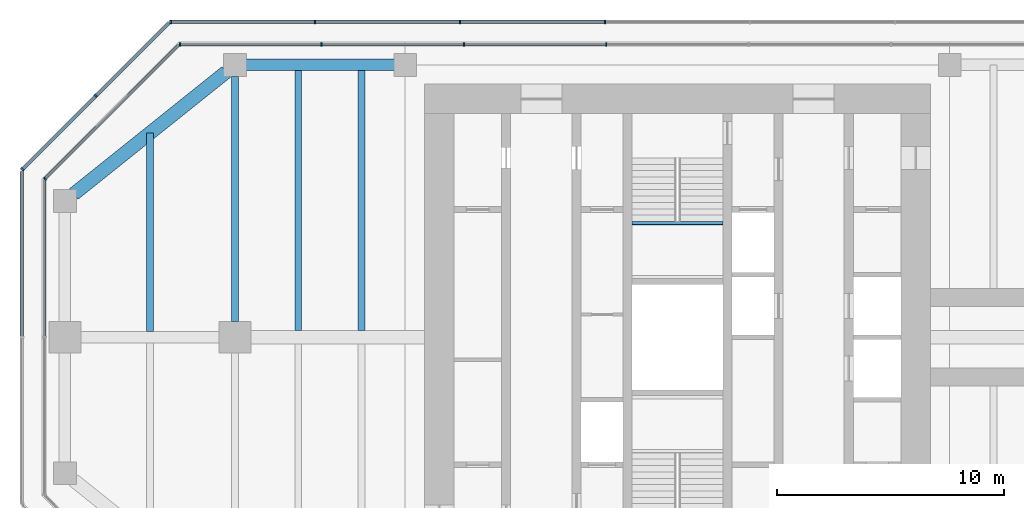
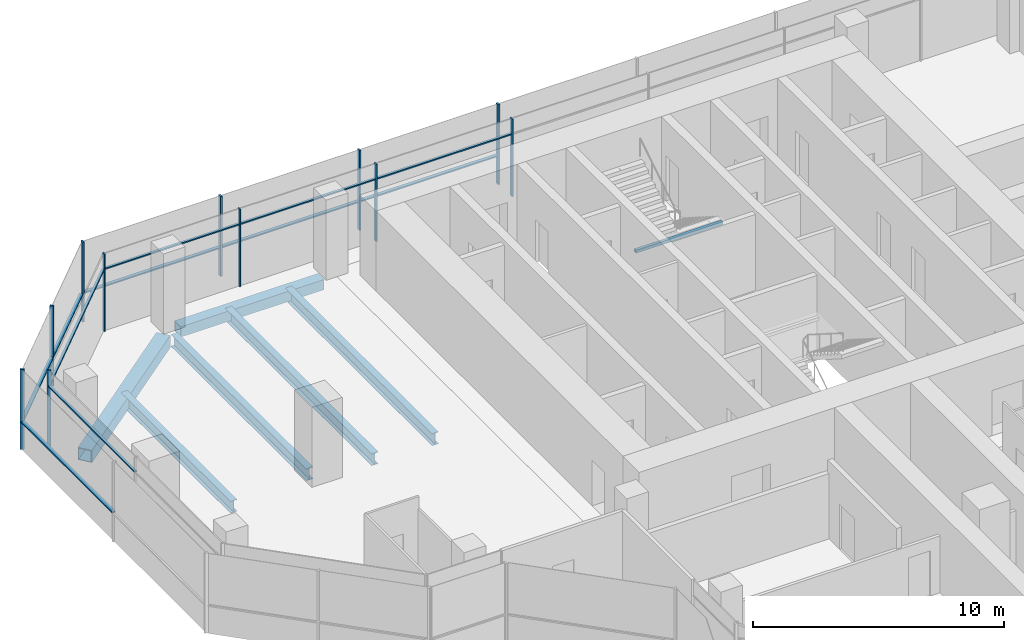
# One storey, part 6 of 15: 22 members, 7 beams, 6 elements without a shape of their own.
"""IFC4 building model written with IfcOpenShell, lengths in metres."""

from ifc_helpers import new_model, si_unit, direction, frame, origin, origin_2d, place, context, subcontext, project, spatial, rectangle, hollow_rectangle, i_section, extrude, material, material_profile, profile_set, type_object, element, aggregate, save


model = new_model("IFC4")

# Units and contexts
model_context = context("Model", 3, precision=1e-05, world=origin(), true_north=direction((0.0, 1.0)))
body_context = subcontext(model_context, "Body", "Model", "MODEL_VIEW")
ifc_project = project(units=[si_unit("LENGTHUNIT", "METRE"), si_unit("AREAUNIT", "SQUARE_METRE"), si_unit("VOLUMEUNIT", "CUBIC_METRE"), si_unit("PLANEANGLEUNIT", "RADIAN"), si_unit("MASSUNIT", "GRAM", prefix="KILO")], contexts=[model_context])

# Site, building, storey
site_placement = place(None, origin())
site = spatial("IfcSite", under=ifc_project, at=site_placement, CompositionType="ELEMENT")
building_placement = place(site_placement, origin())
building = spatial("IfcBuilding", under=site, at=building_placement, Name="Mizan Broadcast Tower", CompositionType="ELEMENT")
storey_placement = place(building_placement, frame((0.0, 0.0, 282.89990234375)))
storey = spatial("IfcBuildingStorey", under=building, at=storey_placement, Name="L67", CompositionType="ELEMENT", Elevation=282.89990234375)

# Beams
ifc_material_1 = material(Name="Steel S355", Category="steel")
ifc_material_profile_1 = material_profile(ifc_material_1, hollow_rectangle(XDim=0.5, YDim=0.5, WallThickness=0.030029296875, at=origin_2d()), Name="BOX 500x500x30")
ifc_profile_set_1 = profile_set([ifc_material_profile_1], Name="Steel S355")
beam_type_1 = type_object("IfcBeamType", Name="EDGE BEAM BOX 500x500x30", PredefinedType="SPANDREL", material=ifc_profile_set_1)
beam_1_placement = place(storey_placement, frame((-12.449951171875, 12.0, -0.3798828125), z_axis=(-1.0, 0.0, 0.0), x_axis=(0.0, -1.0, 0.0)))
element("IfcBeam", 1, at=beam_1_placement, inside=storey, type_object=beam_type_1, Name="Edge beam BOX 500x500x30 L67 west arm", PredefinedType="SPANDREL", context=body_context, shape_type="SweptSolid", body=[
    extrude(hollow_rectangle(XDim=0.5, YDim=0.5, WallThickness=0.030029296875, at=origin_2d()), origin(), (0.0, 0.0, 1.0), 6.60009765625),
])
ifc_material_2 = material(Name="Steel S355", Category="steel")
ifc_material_profile_2 = material_profile(ifc_material_2, hollow_rectangle(XDim=0.60009765625, YDim=0.60009765625, WallThickness=0.030029296875, at=origin_2d()), Name="BOX 600x600x30")
ifc_profile_set_2 = profile_set([ifc_material_profile_2], Name="Steel S355")
beam_type_2 = type_object("IfcBeamType", Name="EDGE BEAM BOX 600x600x30", PredefinedType="SPANDREL", material=ifc_profile_set_2)
beam_2_placement = place(storey_placement, frame((-19.890380859375, 11.687744140625, -0.429931640625), z_axis=(-0.780863273348, -0.62470196761, 0.0), x_axis=(0.62470196761, -0.780863273348, 0.0)))
element("IfcBeam", 2, at=beam_2_placement, inside=storey, type_object=beam_type_2, Name="Edge beam BOX 600x600x30 L67 west arm", PredefinedType="SPANDREL", context=body_context, shape_type="SweptSolid", body=[
    extrude(hollow_rectangle(XDim=0.60009765625, YDim=0.60009765625, WallThickness=0.030029296875, at=origin_2d()), origin(), (0.0, 0.0, 1.0), 8.60498046875),
])
ifc_material_3 = material(Name="Steel S355", Category="steel")
ifc_material_profile_3 = material_profile(ifc_material_3, i_section(OverallWidth=0.300048828125, OverallDepth=0.590087890625, WebThickness=0.012939453125, FlangeThickness=0.02490234375, FilletRadius=0.027099609375, at=origin_2d()), Name="HEA 600")
ifc_profile_set_3 = profile_set([ifc_material_profile_3], Name="Steel S355")
beam_type_3 = type_object("IfcBeamType", Name="GIRDER HEA 600", PredefinedType="BEAM", material=ifc_profile_set_3)
beam_3_placement = place(storey_placement, frame((-19.5, 11.5, -0.4248046875), z_axis=(0.0, -1.0, 0.0), x_axis=(1.0, 0.0, 0.0)))
element("IfcBeam", 3, at=beam_3_placement, inside=storey, type_object=beam_type_3, Name="Girder HEA 600 L67 west arm", PredefinedType="BEAM", context=body_context, shape_type="SweptSolid", body=[
    extrude(i_section(OverallWidth=0.300048828125, OverallDepth=0.590087890625, WebThickness=0.012939453125, FlangeThickness=0.02490234375, FilletRadius=0.027099609375, at=origin_2d()), origin(), (0.0, 0.0, 1.0), 10.800048828125),
])

# Curtain wall, members
ifc_material_4 = material(Name="Aluminium framed glazing", Category="aluminium")
curtain_wall_type_1 = type_object("IfcCurtainWallType", Name="INNER SKIN TOP ZONE", PredefinedType="USERDEFINED", material=ifc_material_4)
curtain_wall_1_placement = place(storey_placement, origin())
curtain_wall_1 = element("IfcCurtainWall", 4, at=curtain_wall_1_placement, inside=storey, type_object=curtain_wall_type_1, Name="Inner skin top zone L67 N end", ObjectType="INNER SKIN TOP ZONE", PredefinedType="USERDEFINED")
ifc_material_5 = material(Name="Aluminium, pale anodised", Category="aluminium")
ifc_material_profile_4 = material_profile(ifc_material_5, rectangle(XDim=0.159912109375, YDim=0.06005859375, at=origin_2d()), Name="MULLION 160x60")
ifc_profile_set_4 = profile_set([ifc_material_profile_4], Name="Aluminium, pale anodised")
member_type_1 = type_object("IfcMemberType", Name="INNER SKIN MULLION 60x160", PredefinedType="MULLION", material=ifc_profile_set_4)
member_1_placement = place(storey_placement, frame((-3.136962890625, 12.89990234375, 0.0), z_axis=(0.0, 0.0, 1.0), x_axis=(0.0, -1.0, 0.0)))
member_1 = element("IfcMember", 5, at=member_1_placement, type_object=member_type_1, Name="Inner skin top zone L67 N end mullion 5", PredefinedType="MULLION", context=body_context, shape_type="SweptSolid", body=[
    extrude(rectangle(XDim=0.159912109375, YDim=0.06005859375, at=origin_2d()), origin(), (0.0, 0.0, 1.0), 3.77001953125),
])
member_2_placement = place(storey_placement, frame((-9.410888671875, 12.89990234375, 0.0), z_axis=(0.0, 0.0, 1.0), x_axis=(0.0, -1.0, 0.0)))
member_2 = element("IfcMember", 6, at=member_2_placement, type_object=member_type_1, Name="Inner skin top zone L67 N end mullion 6", PredefinedType="MULLION", context=body_context, shape_type="SweptSolid", body=[
    extrude(rectangle(XDim=0.159912109375, YDim=0.06005859375, at=origin_2d()), origin(), (0.0, 0.0, 1.0), 3.77001953125),
])
member_3_placement = place(storey_placement, frame((-15.684814453125, 12.89990234375, 0.0), z_axis=(0.0, 0.0, 1.0), x_axis=(0.0, -1.0, 0.0)))
member_3 = element("IfcMember", 7, at=member_3_placement, type_object=member_type_1, Name="Inner skin top zone L67 N end mullion 7", PredefinedType="MULLION", context=body_context, shape_type="SweptSolid", body=[
    extrude(rectangle(XDim=0.159912109375, YDim=0.06005859375, at=origin_2d()), origin(), (0.0, 0.0, 1.0), 3.77001953125),
])
member_4_placement = place(storey_placement, frame((-21.928466796875, 12.89990234375, 0.0), z_axis=(0.0, 0.0, 1.0), x_axis=(0.0, -1.0, 0.0)))
member_4 = element("IfcMember", 8, at=member_4_placement, type_object=member_type_1, Name="Inner skin top zone L67 N end mullion 8", PredefinedType="MULLION", context=body_context, shape_type="SweptSolid", body=[
    extrude(rectangle(XDim=0.159912109375, YDim=0.06005859375, at=origin_2d()), origin(), (0.0, 0.0, 1.0), 3.77001953125),
])

# Curtain wall, member
curtain_wall_2_placement = place(storey_placement, origin())
curtain_wall_2 = element("IfcCurtainWall", 9, at=curtain_wall_2_placement, inside=storey, type_object=curtain_wall_type_1, Name="Inner skin top zone L67 W chamfer", ObjectType="INNER SKIN TOP ZONE", PredefinedType="USERDEFINED")
member_5_placement = place(storey_placement, frame((-27.87890625, 6.979736328125, 0.0), z_axis=(0.0, 0.0, 1.0), x_axis=(0.707106781187, -0.707106781187, 0.0)))
member_5 = element("IfcMember", 10, at=member_5_placement, type_object=member_type_1, Name="Inner skin top zone L67 W chamfer mullion 2", PredefinedType="MULLION", context=body_context, shape_type="SweptSolid", body=[
    extrude(rectangle(XDim=0.159912109375, YDim=0.06005859375, at=origin_2d()), origin(), (0.0, 0.0, 1.0), 3.77001953125),
])

# Member
ifc_material_6 = material(Name="Aluminium, pale anodised", Category="aluminium")
ifc_material_profile_5 = material_profile(ifc_material_6, rectangle(XDim=0.1201171875, YDim=0.06005859375, at=origin_2d()), Name="TRANSOM 120x60")
ifc_profile_set_5 = profile_set([ifc_material_profile_5], Name="Aluminium, pale anodised")
member_type_2 = type_object("IfcMemberType", Name="INNER SKIN TRANSOM 60x120", PredefinedType="USERDEFINED", material=ifc_profile_set_5)
member_6_placement = place(storey_placement, frame((-3.1669921875, 12.89990234375, 3.030029296875), z_axis=(-1.0, 0.0, 0.0), x_axis=(0.0, -1.0, 0.0)))
member_6 = element("IfcMember", 11, at=member_6_placement, type_object=member_type_2, Name="Inner skin top zone L67 N end transom 5.1", ObjectType="TRANSOM", PredefinedType="USERDEFINED", context=body_context, shape_type="SweptSolid", body=[
    extrude(rectangle(XDim=0.1201171875, YDim=0.06005859375, at=origin_2d()), origin(), (0.0, 0.0, 1.0), 6.2138671875),
])

member_7_placement = place(storey_placement, frame((-9.44091796875, 12.89990234375, 3.030029296875), z_axis=(-1.0, 0.0, 0.0), x_axis=(0.0, -1.0, 0.0)))
member_7 = element("IfcMember", 12, at=member_7_placement, type_object=member_type_2, Name="Inner skin top zone L67 N end transom 6.1", ObjectType="TRANSOM", PredefinedType="USERDEFINED", context=body_context, shape_type="SweptSolid", body=[
    extrude(rectangle(XDim=0.1201171875, YDim=0.06005859375, at=origin_2d()), origin(), (0.0, 0.0, 1.0), 6.2138671875),
])

member_8_placement = place(storey_placement, frame((-15.714599609375, 12.89990234375, 3.030029296875), z_axis=(-1.0, 0.0, 0.0), x_axis=(0.0, -1.0, 0.0)))
member_8 = element("IfcMember", 13, at=member_8_placement, type_object=member_type_2, Name="Inner skin top zone L67 N end transom 7.1", ObjectType="TRANSOM", PredefinedType="USERDEFINED", context=body_context, shape_type="SweptSolid", body=[
    extrude(rectangle(XDim=0.1201171875, YDim=0.06005859375, at=origin_2d()), origin(), (0.0, 0.0, 1.0), 6.18408203125),
])

aggregate(curtain_wall_1, [member_1, member_2, member_3, member_4, member_6, member_7, member_8])

member_9_placement = place(storey_placement, frame((-22.0009765625, 12.857666015625, 3.030029296875), z_axis=(-0.707106781187, -0.707106781187, 0.0), x_axis=(0.707106781187, -0.707106781187, 0.0)))
member_9 = element("IfcMember", 14, at=member_9_placement, type_object=member_type_2, Name="Inner skin top zone L67 W chamfer transom 1.1", ObjectType="TRANSOM", PredefinedType="USERDEFINED", context=body_context, shape_type="SweptSolid", body=[
    extrude(rectangle(XDim=0.1201171875, YDim=0.06005859375, at=origin_2d()), origin(), (0.0, 0.0, 1.0), 8.28271484375),
])

aggregate(curtain_wall_2, [member_5, member_9])

# Curtain wall, member
curtain_wall_3_placement = place(storey_placement, origin())
curtain_wall_3 = element("IfcCurtainWall", 15, at=curtain_wall_3_placement, inside=storey, type_object=curtain_wall_type_1, Name="Inner skin top zone L67 W end", ObjectType="INNER SKIN TOP ZONE", PredefinedType="USERDEFINED")
member_10_placement = place(storey_placement, frame((-27.89990234375, 6.898681640625, 3.030029296875), z_axis=(0.0, -1.0, 0.0), x_axis=(1.0, 0.0, 0.0)))
member_10 = element("IfcMember", 16, at=member_10_placement, type_object=member_type_2, Name="Inner skin top zone L67 W end transom 1.1", ObjectType="TRANSOM", PredefinedType="USERDEFINED", context=body_context, shape_type="SweptSolid", body=[
    extrude(rectangle(XDim=0.1201171875, YDim=0.06005859375, at=origin_2d()), origin(), (0.0, 0.0, 1.0), 6.86865234375),
])
aggregate(curtain_wall_3, [member_10])

# Beam
ifc_material_7 = material(Name="Steel S355", Category="steel")
ifc_material_profile_6 = material_profile(ifc_material_7, hollow_rectangle(XDim=0.14990234375, YDim=0.14990234375, WallThickness=0.008056640625, InnerFilletRadius=0.008056640625, OuterFilletRadius=0.011962890625, at=origin_2d()), Name="SHS 150x150x8")
ifc_profile_set_6 = profile_set([ifc_material_profile_6], Name="Steel S355")
beam_type_4 = type_object("IfcBeamType", Name="LANDING TRIMMER SHS 150x150x8", PredefinedType="BEAM", material=ifc_profile_set_6)
beam_4_placement = place(storey_placement, frame((2.0, 5.02490234375, 1.675048828125), z_axis=(-1.0, 0.0, 0.0), x_axis=(0.0, -1.0, 0.0)))
element("IfcBeam", 17, at=beam_4_placement, inside=storey, type_object=beam_type_4, Name="Stair B landing trimmer L67", PredefinedType="BEAM", context=body_context, shape_type="SweptSolid", body=[
    extrude(hollow_rectangle(XDim=0.14990234375, YDim=0.14990234375, WallThickness=0.008056640625, InnerFilletRadius=0.008056640625, OuterFilletRadius=0.011962890625, at=origin_2d()), origin(), (0.0, 0.0, 1.0), 4.0),
])

# Curtain wall, members
ifc_material_8 = material(Name="Aluminium framed glazing", Category="aluminium")
curtain_wall_type_2 = type_object("IfcCurtainWallType", Name="OUTER SKIN", PredefinedType="USERDEFINED", material=ifc_material_8)
curtain_wall_4_placement = place(storey_placement, origin())
curtain_wall_4 = element("IfcCurtainWall", 18, at=curtain_wall_4_placement, inside=storey, type_object=curtain_wall_type_2, Name="Outer skin L67 N end", ObjectType="OUTER SKIN", PredefinedType="USERDEFINED")
ifc_material_9 = material(Name="Aluminium, pale anodised", Category="aluminium")
ifc_material_profile_7 = material_profile(ifc_material_9, rectangle(XDim=0.159912109375, YDim=0.080078125, at=origin_2d()), Name="MULLION 160x80")
ifc_profile_set_7 = profile_set([ifc_material_profile_7], Name="Aluminium, pale anodised")
member_type_3 = type_object("IfcMemberType", Name="OUTER SKIN MULLION 80x160", PredefinedType="MULLION", material=ifc_profile_set_7)
member_11_placement = place(storey_placement, frame((-3.196044921875, 13.89990234375, 0.0), z_axis=(0.0, 0.0, 1.0), x_axis=(0.0, -1.0, 0.0)))
member_11 = element("IfcMember", 19, at=member_11_placement, type_object=member_type_3, Name="Outer skin L67 N end mullion 5", PredefinedType="MULLION", context=body_context, shape_type="SweptSolid", body=[
    extrude(rectangle(XDim=0.159912109375, YDim=0.080078125, at=origin_2d()), origin(), (0.0, 0.0, 1.0), 3.900146484375),
])
member_12_placement = place(storey_placement, frame((-9.58837890625, 13.89990234375, 0.0), z_axis=(0.0, 0.0, 1.0), x_axis=(0.0, -1.0, 0.0)))
member_12 = element("IfcMember", 20, at=member_12_placement, type_object=member_type_3, Name="Outer skin L67 N end mullion 6", PredefinedType="MULLION", context=body_context, shape_type="SweptSolid", body=[
    extrude(rectangle(XDim=0.159912109375, YDim=0.080078125, at=origin_2d()), origin(), (0.0, 0.0, 1.0), 3.900146484375),
])
member_13_placement = place(storey_placement, frame((-15.98046875, 13.89990234375, 0.0), z_axis=(0.0, 0.0, 1.0), x_axis=(0.0, -1.0, 0.0)))
member_13 = element("IfcMember", 21, at=member_13_placement, type_object=member_type_3, Name="Outer skin L67 N end mullion 7", PredefinedType="MULLION", context=body_context, shape_type="SweptSolid", body=[
    extrude(rectangle(XDim=0.159912109375, YDim=0.080078125, at=origin_2d()), origin(), (0.0, 0.0, 1.0), 3.900146484375),
])
member_14_placement = place(storey_placement, frame((-22.332763671875, 13.89990234375, 0.0), z_axis=(0.0, 0.0, 1.0), x_axis=(0.0, -1.0, 0.0)))
member_14 = element("IfcMember", 22, at=member_14_placement, type_object=member_type_3, Name="Outer skin L67 N end mullion 8", PredefinedType="MULLION", context=body_context, shape_type="SweptSolid", body=[
    extrude(rectangle(XDim=0.159912109375, YDim=0.080078125, at=origin_2d()), origin(), (0.0, 0.0, 1.0), 3.900146484375),
])

curtain_wall_5_placement = place(storey_placement, origin())
curtain_wall_5 = element("IfcCurtainWall", 23, at=curtain_wall_5_placement, inside=storey, type_object=curtain_wall_type_2, Name="Outer skin L67 W chamfer", ObjectType="OUTER SKIN", PredefinedType="USERDEFINED")
member_15_placement = place(storey_placement, frame((-25.636474609375, 10.636474609375, 0.0), z_axis=(0.0, 0.0, 1.0), x_axis=(0.707106781187, -0.707106781187, 0.0)))
member_15 = element("IfcMember", 24, at=member_15_placement, type_object=member_type_3, Name="Outer skin L67 W chamfer mullion 2", PredefinedType="MULLION", context=body_context, shape_type="SweptSolid", body=[
    extrude(rectangle(XDim=0.159912109375, YDim=0.080078125, at=origin_2d()), origin(), (0.0, 0.0, 1.0), 3.900146484375),
])
member_16_placement = place(storey_placement, frame((-28.871826171875, 7.401123046875, 0.0), z_axis=(0.0, 0.0, 1.0), x_axis=(0.707106781187, -0.707106781187, 0.0)))
member_16 = element("IfcMember", 25, at=member_16_placement, type_object=member_type_3, Name="Outer skin L67 W chamfer mullion 3", PredefinedType="MULLION", context=body_context, shape_type="SweptSolid", body=[
    extrude(rectangle(XDim=0.159912109375, YDim=0.080078125, at=origin_2d()), origin(), (0.0, 0.0, 1.0), 3.900146484375),
])

# Member
ifc_material_10 = material(Name="Aluminium, pale anodised", Category="aluminium")
ifc_material_profile_8 = material_profile(ifc_material_10, rectangle(XDim=0.159912109375, YDim=0.06005859375, at=origin_2d()), Name="TRANSOM 160x60")
ifc_profile_set_8 = profile_set([ifc_material_profile_8], Name="Aluminium, pale anodised")
member_type_4 = type_object("IfcMemberType", Name="OUTER SKIN TRANSOM 60x160", PredefinedType="USERDEFINED", material=ifc_profile_set_8)
member_17_placement = place(storey_placement, frame((-3.236083984375, 13.89990234375, 1.400146484375), z_axis=(-1.0, 0.0, 0.0), x_axis=(0.0, -1.0, 0.0)))
member_17 = element("IfcMember", 26, at=member_17_placement, type_object=member_type_4, Name="Outer skin L67 N end transom 5.1", ObjectType="TRANSOM", PredefinedType="USERDEFINED", context=body_context, shape_type="SweptSolid", body=[
    extrude(rectangle(XDim=0.159912109375, YDim=0.06005859375, at=origin_2d()), origin(), (0.0, 0.0, 1.0), 6.312255859375),
])

member_18_placement = place(storey_placement, frame((-9.62841796875, 13.89990234375, 1.400146484375), z_axis=(-1.0, 0.0, 0.0), x_axis=(0.0, -1.0, 0.0)))
member_18 = element("IfcMember", 27, at=member_18_placement, type_object=member_type_4, Name="Outer skin L67 N end transom 6.1", ObjectType="TRANSOM", PredefinedType="USERDEFINED", context=body_context, shape_type="SweptSolid", body=[
    extrude(rectangle(XDim=0.159912109375, YDim=0.06005859375, at=origin_2d()), origin(), (0.0, 0.0, 1.0), 6.312255859375),
])

member_19_placement = place(storey_placement, frame((-16.0205078125, 13.89990234375, 1.400146484375), z_axis=(-1.0, 0.0, 0.0), x_axis=(0.0, -1.0, 0.0)))
member_19 = element("IfcMember", 28, at=member_19_placement, type_object=member_type_4, Name="Outer skin L67 N end transom 7.1", ObjectType="TRANSOM", PredefinedType="USERDEFINED", context=body_context, shape_type="SweptSolid", body=[
    extrude(rectangle(XDim=0.159912109375, YDim=0.06005859375, at=origin_2d()), origin(), (0.0, 0.0, 1.0), 6.272216796875),
])

aggregate(curtain_wall_4, [member_11, member_12, member_13, member_14, member_17, member_18, member_19])

member_20_placement = place(storey_placement, frame((-22.429443359375, 13.843505859375, 1.400146484375), z_axis=(-0.707106781187, -0.707106781187, 0.0), x_axis=(0.707106781187, -0.707106781187, 0.0)))
member_20 = element("IfcMember", 29, at=member_20_placement, type_object=member_type_4, Name="Outer skin L67 W chamfer transom 1.1", ObjectType="TRANSOM", PredefinedType="USERDEFINED", context=body_context, shape_type="SweptSolid", body=[
    extrude(rectangle(XDim=0.159912109375, YDim=0.06005859375, at=origin_2d()), origin(), (0.0, 0.0, 1.0), 4.495361328125),
])

member_21_placement = place(storey_placement, frame((-25.664794921875, 10.608154296875, 1.400146484375), z_axis=(-0.707106781187, -0.707106781187, 0.0), x_axis=(0.707106781187, -0.707106781187, 0.0)))
member_21 = element("IfcMember", 30, at=member_21_placement, type_object=member_type_4, Name="Outer skin L67 W chamfer transom 2.1", ObjectType="TRANSOM", PredefinedType="USERDEFINED", context=body_context, shape_type="SweptSolid", body=[
    extrude(rectangle(XDim=0.159912109375, YDim=0.06005859375, at=origin_2d()), origin(), (0.0, 0.0, 1.0), 4.495361328125),
])

aggregate(curtain_wall_5, [member_15, member_16, member_20, member_21])

# Curtain wall, member
curtain_wall_6_placement = place(storey_placement, origin())
curtain_wall_6 = element("IfcCurtainWall", 31, at=curtain_wall_6_placement, inside=storey, type_object=curtain_wall_type_2, Name="Outer skin L67 W end", ObjectType="OUTER SKIN", PredefinedType="USERDEFINED")
member_22_placement = place(storey_placement, frame((-28.89990234375, 7.292724609375, 1.400146484375), z_axis=(0.0, -1.0, 0.0), x_axis=(1.0, 0.0, 0.0)))
member_22 = element("IfcMember", 32, at=member_22_placement, type_object=member_type_4, Name="Outer skin L67 W end transom 1.1", ObjectType="TRANSOM", PredefinedType="USERDEFINED", context=body_context, shape_type="SweptSolid", body=[
    extrude(rectangle(XDim=0.159912109375, YDim=0.06005859375, at=origin_2d()), origin(), (0.0, 0.0, 1.0), 7.252685546875),
])
aggregate(curtain_wall_6, [member_22])

# Beams
ifc_material_11 = material(Name="Steel S355", Category="steel")
ifc_material_profile_9 = material_profile(ifc_material_11, i_section(OverallWidth=0.300048828125, OverallDepth=0.590087890625, WebThickness=0.012939453125, FlangeThickness=0.02490234375, FilletRadius=0.027099609375, at=origin_2d()), Name="HEA 600")
ifc_profile_set_9 = profile_set([ifc_material_profile_9], Name="Steel S355")
beam_type_5 = type_object("IfcBeamType", Name="SECONDARY BEAM HEA 600", PredefinedType="JOIST", material=ifc_profile_set_9)
for number, where, z_axis, x_axis, name in (
    (33, (-13.933349609375, 12.0, -0.4248046875), (0.0, -1.0, 0.0), (1.0, 0.0, 0.0), "Secondary beam HEA 600 L67 west arm"),
    (34, (-16.716552734375, 12.0, -0.4248046875), (0.0, -1.0, 0.0), (1.0, 0.0, 0.0), "Secondary beam HEA 600 L67 west arm"),
):
    element("IfcBeam", number, at=place(storey_placement, frame(where, z_axis=z_axis, x_axis=x_axis)), inside=storey, type_object=beam_type_5, Name=name, PredefinedType="JOIST", context=body_context, shape_type="SweptSolid", body=[
        extrude(i_section(OverallWidth=0.300048828125, OverallDepth=0.590087890625, WebThickness=0.012939453125, FlangeThickness=0.02490234375, FilletRadius=0.027099609375, at=origin_2d()), origin(), (0.0, 0.0, 1.0), 11.699951171875),
    ])
beam_5_placement = place(storey_placement, frame((-23.25, 9.0, -0.4248046875), z_axis=(0.0, -1.0, 0.0), x_axis=(1.0, 0.0, 0.0)))
element("IfcBeam", 35, at=beam_5_placement, inside=storey, type_object=beam_type_5, Name="Secondary beam HEA 600 L67 west arm", PredefinedType="JOIST", context=body_context, shape_type="SweptSolid", body=[
    extrude(i_section(OverallWidth=0.300048828125, OverallDepth=0.590087890625, WebThickness=0.012939453125, FlangeThickness=0.02490234375, FilletRadius=0.027099609375, at=origin_2d()), origin(), (0.0, 0.0, 1.0), 8.75),
])

save(model, "model.ifc")
